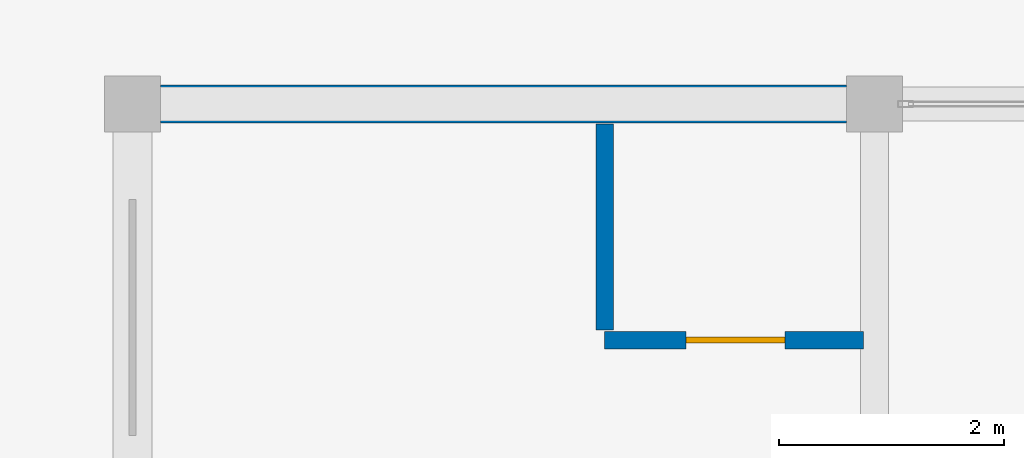
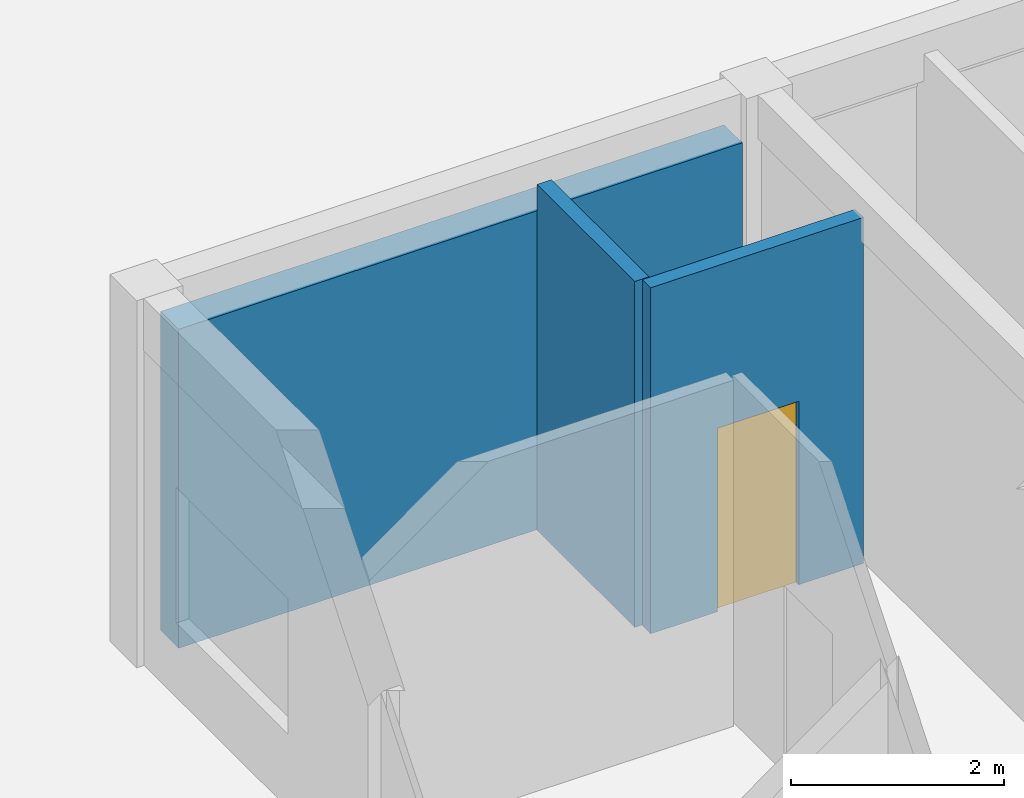
# One storey, part 70 of 92: 3 walls, 1 door, 1 opening.
"""IFC4 building model written with IfcOpenShell, lengths in metres."""

from ifc_helpers import new_model, si_unit, direction, frame, frame_2d, origin, place, context, subcontext, project, spatial, rectangle, extrude, material, layer, layer_set, type_object, element, fill, save


model = new_model("IFC4")

# Units and contexts
model_context = context("Model", 3, precision=1e-05, world=origin(), true_north=direction((0.0, 1.0)))
body_context = subcontext(model_context, "Body", "Model", "MODEL_VIEW")
ifc_project = project(units=[si_unit("LENGTHUNIT", "METRE"), si_unit("AREAUNIT", "SQUARE_METRE"), si_unit("VOLUMEUNIT", "CUBIC_METRE"), si_unit("PLANEANGLEUNIT", "RADIAN"), si_unit("MASSUNIT", "GRAM", prefix="KILO")], contexts=[model_context])

# Site, building, storey
site_placement = place(None, origin())
site = spatial("IfcSite", under=ifc_project, at=site_placement, CompositionType="ELEMENT")
building_placement = place(site_placement, origin())
building = spatial("IfcBuilding", under=site, at=building_placement, Name="Kernevlak Ridge Housing Community", CompositionType="ELEMENT")
storey_placement = place(building_placement, frame((0.0, 0.0, 4.199951171875)))
storey = spatial("IfcBuildingStorey", under=building, at=storey_placement, Name="L01", CompositionType="ELEMENT", Elevation=4.199951171875)

# Wall
ifc_material_1 = material(Name="Concrete block masonry M10", Category="masonry")
ifc_layer_1 = layer(ifc_material_1, 0.340087890625, Name="Concrete block masonry M10")
ifc_layer_set_1 = layer_set([ifc_layer_1], Name="Concrete block masonry M10")
wall_type_1 = type_object("IfcWallType", Name="EW-04", PredefinedType="STANDARD", material=ifc_layer_set_1)
wall_1_placement = place(storey_placement, frame((126.25, 42.0, 0.0), z_axis=(0.0, 0.0, 1.0), x_axis=(1.0, 0.0, 0.0)))
element("IfcWall", 1, at=wall_1_placement, inside=storey, type_object=wall_type_1, Name="Exterior wall EW-04 L01 556", PredefinedType="STANDARD", context=body_context, shape_type="SweptSolid", body=[
    extrude(rectangle(XDim=6.10009765625, YDim=0.340087890625, at=frame_2d((3.050048828125, 0.0))), origin(), (0.0, 0.0, 1.0), 3.650146484375),
])

# Wall, opening, door
ifc_material_2 = material(Name="Gypsum plasterboard EN 520", Category="gypsum")
ifc_layer_2 = layer(ifc_material_2, 0.155029296875, Name="Gypsum plasterboard EN 520")
ifc_layer_set_2 = layer_set([ifc_layer_2], Name="Gypsum plasterboard EN 520")
wall_type_2 = type_object("IfcWallType", Name="PW-05", PredefinedType="PARTITIONING", material=ifc_layer_set_2)
wall_2_placement = place(storey_placement, frame((132.50244140625, 39.89990234375, 0.0), z_axis=(0.0, 0.0, 1.0), x_axis=(-1.0, 0.0, 0.0)))
wall_2 = element("IfcWall", 2, at=wall_2_placement, inside=storey, type_object=wall_type_2, Name="Interior wall PW-05 WAL-INT-L01-2195", PredefinedType="PARTITIONING", context=body_context, shape_type="SweptSolid", body=[
    extrude(rectangle(XDim=2.302490234375, YDim=0.155029296875, at=frame_2d((1.1513671875, 0.0))), origin(), (0.0, 0.0, 1.0), 3.9599609375),
])
opening_placement = place(wall_2_placement, frame((0.699951171875, 0.0, 0.0)))
opening = element("IfcOpeningElement", 3, at=opening_placement, cuts=wall_2, Name="Opening E112", PredefinedType="OPENING", context=body_context, shape_type="SweptSolid", body=[
    extrude(rectangle(XDim=0.8798828125, YDim=2.10009765625, at=frame_2d((0.43994140625, 1.050048828125))), frame((0.0, 0.08740234375, 0.0), z_axis=(0.0, -1.0, 0.0), x_axis=(1.0, 0.0, 0.0)), (0.0, 0.0, 1.0), 0.175048828125),
])
ifc_material_3 = material(Name="Hardwood timber leaf", Category="wood")
door_type = type_object("IfcDoorType", Name="DT-25", OperationType="NOTDEFINED", PredefinedType="DOOR", material=ifc_material_3)
door_placement = place(opening_placement, origin())
door = element("IfcDoor", 4, at=door_placement, inside=storey, type_object=door_type, Name="Flat C0112 kitchen door E112", OperationType="SINGLE_SWING_LEFT", OverallHeight=2.10009765625, OverallWidth=0.8798828125, PredefinedType="DOOR", context=body_context, shape_type="SweptSolid", body=[
    extrude(rectangle(XDim=0.8798828125, YDim=2.10009765625, at=frame_2d((0.43994140625, 1.050048828125))), frame((0.0, 0.02490234375, 0.0), z_axis=(0.0, -1.0, 0.0), x_axis=(1.0, 0.0, 0.0)), (0.0, 0.0, 1.0), 0.050048828125),
])
fill(opening, door)

# Wall
wall_3_placement = place(storey_placement, frame((130.199951171875, 39.987548828125, 0.0), z_axis=(0.0, 0.0, 1.0), x_axis=(0.0, 1.0, 0.0)))
element("IfcWall", 5, at=wall_3_placement, inside=storey, type_object=wall_type_2, Name="Interior wall PW-05 WAL-INT-L01-2196", PredefinedType="PARTITIONING", context=body_context, shape_type="SweptSolid", body=[
    extrude(rectangle(XDim=1.83251953125, YDim=0.155029296875, at=frame_2d((0.916259765625, 0.0))), origin(), (0.0, 0.0, 1.0), 3.9599609375),
])

save(model, "model.ifc")
